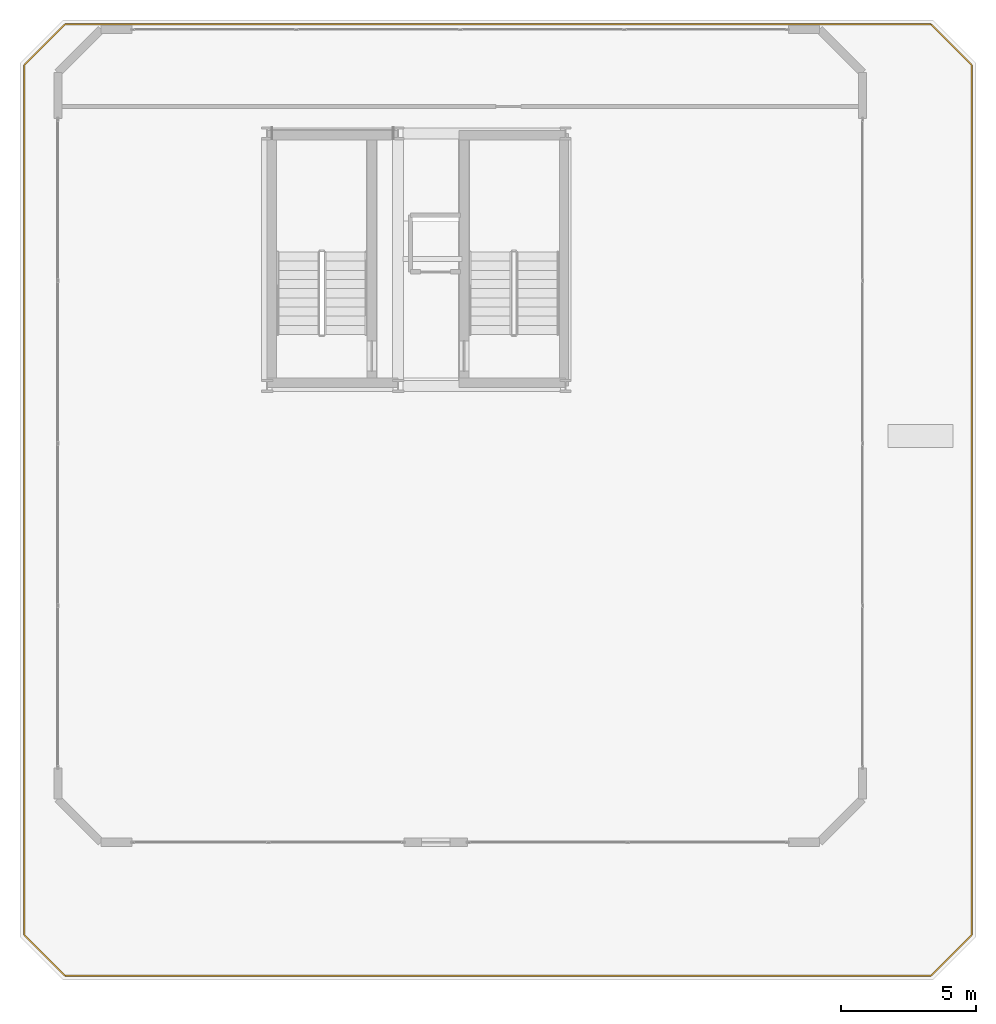
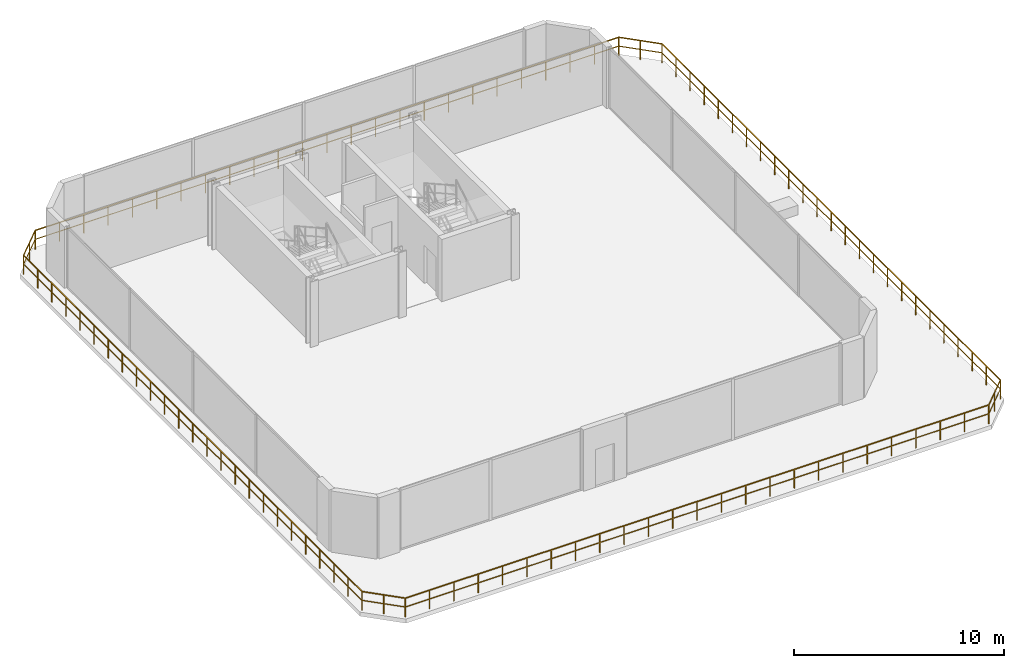
# One storey, part 18 of 19: 2 railings.
"""IFC4 building model written with IfcOpenShell, lengths in metres."""

from ifc_helpers import new_model, si_unit, direction, frame, origin, origin_2d, place, context, subcontext, project, spatial, rectangle, extrude, material, type_object, element, save


model = new_model("IFC4")

# Units and contexts
model_context = context("Model", 3, precision=1e-05, world=origin(), true_north=direction((0.0, 1.0)))
body_context = subcontext(model_context, "Body", "Model", "MODEL_VIEW")
ifc_project = project(units=[si_unit("LENGTHUNIT", "METRE"), si_unit("AREAUNIT", "SQUARE_METRE"), si_unit("VOLUMEUNIT", "CUBIC_METRE"), si_unit("PLANEANGLEUNIT", "RADIAN"), si_unit("MASSUNIT", "GRAM", prefix="KILO")], contexts=[model_context])

# Site, building, storey
site_placement = place(None, origin())
site = spatial("IfcSite", under=ifc_project, at=site_placement, CompositionType="ELEMENT")
building_placement = place(site_placement, origin())
building = spatial("IfcBuilding", under=site, at=building_placement, Name="Zuhayl Quay Hotel", CompositionType="ELEMENT")
storey_placement = place(building_placement, frame((0.0, 0.0, 304.85009765625)))
storey = spatial("IfcBuildingStorey", under=building, at=storey_placement, Name="Crown 3", CompositionType="ELEMENT", Elevation=304.85009765625)

# Railings
ifc_material = material(Name="Anodised Aluminium and Laminated Glass", Category="aluminium")
railing_type = type_object("IfcRailingType", Name="RL_EXT_BAL_1100", PredefinedType="BALUSTRADE", material=ifc_material)
railing_1_placement = place(storey_placement, frame((-16.93359375, 3.260009765625, 0.0)))
element("IfcRailing", 1, at=railing_1_placement, inside=storey, type_object=railing_type, Name="Crown 3 Balcony and Terrace Guard GR_CROWN_3_1A", PredefinedType="BALUSTRADE", context=body_context, shape_type="SweptSolid", body=[
    extrude(rectangle(XDim=0.048095703125, YDim=0.048095703125, at=origin_2d()), frame((0.0, 0.0, 1.09619140625), z_axis=(-0.707106781187, 0.707106781187, 0.0), x_axis=(-0.707106781187, -0.707106781187, 0.0)), (0.0, 0.0, 1.0), 2.13037109375),
    extrude(rectangle(XDim=0.0361328125, YDim=0.0361328125, at=origin_2d()), frame((0.0, 0.0, 0.58251953125), z_axis=(-0.707106781187, 0.707106781187, 0.0), x_axis=(-0.707106781187, -0.707106781187, 0.0)), (0.0, 0.0, 1.0), 2.13037109375),
    extrude(rectangle(XDim=0.048095703125, YDim=0.048095703125, at=origin_2d()), frame((-1.50634765625, 1.50634765625, 1.09619140625), z_axis=(0.0, 1.0, 0.0), x_axis=(-1.0, 0.0, 0.0)), (0.0, 0.0, 1.0), 32.21728515625),
    extrude(rectangle(XDim=0.0361328125, YDim=0.0361328125, at=origin_2d()), frame((-1.50634765625, 1.50634765625, 0.58251953125), z_axis=(0.0, 1.0, 0.0), x_axis=(-1.0, 0.0, 0.0)), (0.0, 0.0, 1.0), 32.21728515625),
    extrude(rectangle(XDim=0.048095703125, YDim=0.048095703125, at=origin_2d()), frame((-1.50634765625, 33.7236328125, 1.09619140625), z_axis=(0.707106781187, 0.707106781187, 0.0), x_axis=(-0.707106781187, 0.707106781187, 0.0)), (0.0, 0.0, 1.0), 2.13037109375),
    extrude(rectangle(XDim=0.0361328125, YDim=0.0361328125, at=origin_2d()), frame((-1.50634765625, 33.7236328125, 0.58251953125), z_axis=(0.707106781187, 0.707106781187, 0.0), x_axis=(-0.707106781187, 0.707106781187, 0.0)), (0.0, 0.0, 1.0), 2.13037109375),
    extrude(rectangle(XDim=0.048095703125, YDim=0.048095703125, at=origin_2d()), frame((0.0, 35.22998046875, 1.09619140625), z_axis=(1.0, 0.0, 0.0), x_axis=(0.0, 1.0, 0.0)), (0.0, 0.0, 1.0), 32.0673828125),
    extrude(rectangle(XDim=0.0361328125, YDim=0.0361328125, at=origin_2d()), frame((0.0, 35.22998046875, 0.58251953125), z_axis=(1.0, 0.0, 0.0), x_axis=(0.0, 1.0, 0.0)), (0.0, 0.0, 1.0), 32.0673828125),
    extrude(rectangle(XDim=0.0419921875, YDim=0.0419921875, at=origin_2d()), origin(), (0.0, 0.0, 1.0), 1.072021484375),
    extrude(rectangle(XDim=0.0419921875, YDim=0.0419921875, at=origin_2d()), frame((-0.753173828125, 0.753173828125, 0.0)), (0.0, 0.0, 1.0), 1.072021484375),
    extrude(rectangle(XDim=0.0419921875, YDim=0.0419921875, at=origin_2d()), frame((-1.50634765625, 1.50634765625, 0.0)), (0.0, 0.0, 1.0), 1.072021484375),
    extrude(rectangle(XDim=0.0419921875, YDim=0.0419921875, at=origin_2d()), frame((-1.50634765625, 2.8486328125, 0.0)), (0.0, 0.0, 1.0), 1.072021484375),
    extrude(rectangle(XDim=0.0419921875, YDim=0.0419921875, at=origin_2d()), frame((-1.50634765625, 4.191162109375, 0.0)), (0.0, 0.0, 1.0), 1.072021484375),
    extrude(rectangle(XDim=0.0419921875, YDim=0.0419921875, at=origin_2d()), frame((-1.50634765625, 5.533447265625, 0.0)), (0.0, 0.0, 1.0), 1.072021484375),
    extrude(rectangle(XDim=0.0419921875, YDim=0.0419921875, at=origin_2d()), frame((-1.50634765625, 6.8759765625, 0.0)), (0.0, 0.0, 1.0), 1.072021484375),
    extrude(rectangle(XDim=0.0419921875, YDim=0.0419921875, at=origin_2d()), frame((-1.50634765625, 8.21826171875, 0.0)), (0.0, 0.0, 1.0), 1.072021484375),
    extrude(rectangle(XDim=0.0419921875, YDim=0.0419921875, at=origin_2d()), frame((-1.50634765625, 9.560546875, 0.0)), (0.0, 0.0, 1.0), 1.072021484375),
    extrude(rectangle(XDim=0.0419921875, YDim=0.0419921875, at=origin_2d()), frame((-1.50634765625, 10.903076171875, 0.0)), (0.0, 0.0, 1.0), 1.072021484375),
    extrude(rectangle(XDim=0.0419921875, YDim=0.0419921875, at=origin_2d()), frame((-1.50634765625, 12.245361328125, 0.0)), (0.0, 0.0, 1.0), 1.072021484375),
    extrude(rectangle(XDim=0.0419921875, YDim=0.0419921875, at=origin_2d()), frame((-1.50634765625, 13.587890625, 0.0)), (0.0, 0.0, 1.0), 1.072021484375),
    extrude(rectangle(XDim=0.0419921875, YDim=0.0419921875, at=origin_2d()), frame((-1.50634765625, 14.93017578125, 0.0)), (0.0, 0.0, 1.0), 1.072021484375),
    extrude(rectangle(XDim=0.0419921875, YDim=0.0419921875, at=origin_2d()), frame((-1.50634765625, 16.272705078125, 0.0)), (0.0, 0.0, 1.0), 1.072021484375),
    extrude(rectangle(XDim=0.0419921875, YDim=0.0419921875, at=origin_2d()), frame((-1.50634765625, 17.614990234375, 0.0)), (0.0, 0.0, 1.0), 1.072021484375),
    extrude(rectangle(XDim=0.0419921875, YDim=0.0419921875, at=origin_2d()), frame((-1.50634765625, 18.957275390625, 0.0)), (0.0, 0.0, 1.0), 1.072021484375),
    extrude(rectangle(XDim=0.0419921875, YDim=0.0419921875, at=origin_2d()), frame((-1.50634765625, 20.2998046875, 0.0)), (0.0, 0.0, 1.0), 1.072021484375),
    extrude(rectangle(XDim=0.0419921875, YDim=0.0419921875, at=origin_2d()), frame((-1.50634765625, 21.64208984375, 0.0)), (0.0, 0.0, 1.0), 1.072021484375),
    extrude(rectangle(XDim=0.0419921875, YDim=0.0419921875, at=origin_2d()), frame((-1.50634765625, 22.984619140625, 0.0)), (0.0, 0.0, 1.0), 1.072021484375),
    extrude(rectangle(XDim=0.0419921875, YDim=0.0419921875, at=origin_2d()), frame((-1.50634765625, 24.326904296875, 0.0)), (0.0, 0.0, 1.0), 1.072021484375),
    extrude(rectangle(XDim=0.0419921875, YDim=0.0419921875, at=origin_2d()), frame((-1.50634765625, 25.66943359375, 0.0)), (0.0, 0.0, 1.0), 1.072021484375),
    extrude(rectangle(XDim=0.0419921875, YDim=0.0419921875, at=origin_2d()), frame((-1.50634765625, 27.01171875, 0.0)), (0.0, 0.0, 1.0), 1.072021484375),
    extrude(rectangle(XDim=0.0419921875, YDim=0.0419921875, at=origin_2d()), frame((-1.50634765625, 28.35400390625, 0.0)), (0.0, 0.0, 1.0), 1.072021484375),
    extrude(rectangle(XDim=0.0419921875, YDim=0.0419921875, at=origin_2d()), frame((-1.50634765625, 29.696533203125, 0.0)), (0.0, 0.0, 1.0), 1.072021484375),
    extrude(rectangle(XDim=0.0419921875, YDim=0.0419921875, at=origin_2d()), frame((-1.50634765625, 31.038818359375, 0.0)), (0.0, 0.0, 1.0), 1.072021484375),
    extrude(rectangle(XDim=0.0419921875, YDim=0.0419921875, at=origin_2d()), frame((-1.50634765625, 32.38134765625, 0.0)), (0.0, 0.0, 1.0), 1.072021484375),
    extrude(rectangle(XDim=0.0419921875, YDim=0.0419921875, at=origin_2d()), frame((-1.50634765625, 33.7236328125, 0.0)), (0.0, 0.0, 1.0), 1.072021484375),
    extrude(rectangle(XDim=0.0419921875, YDim=0.0419921875, at=origin_2d()), frame((-0.753173828125, 34.476806640625, 0.0)), (0.0, 0.0, 1.0), 1.072021484375),
    extrude(rectangle(XDim=0.0419921875, YDim=0.0419921875, at=origin_2d()), frame((0.0, 35.22998046875, 0.0)), (0.0, 0.0, 1.0), 1.072021484375),
    extrude(rectangle(XDim=0.0419921875, YDim=0.0419921875, at=origin_2d()), frame((1.336181640625, 35.22998046875, 0.0)), (0.0, 0.0, 1.0), 1.072021484375),
    extrude(rectangle(XDim=0.0419921875, YDim=0.0419921875, at=origin_2d()), frame((2.67236328125, 35.22998046875, 0.0)), (0.0, 0.0, 1.0), 1.072021484375),
    extrude(rectangle(XDim=0.0419921875, YDim=0.0419921875, at=origin_2d()), frame((4.00830078125, 35.22998046875, 0.0)), (0.0, 0.0, 1.0), 1.072021484375),
    extrude(rectangle(XDim=0.0419921875, YDim=0.0419921875, at=origin_2d()), frame((5.344482421875, 35.22998046875, 0.0)), (0.0, 0.0, 1.0), 1.072021484375),
    extrude(rectangle(XDim=0.0419921875, YDim=0.0419921875, at=origin_2d()), frame((6.6806640625, 35.22998046875, 0.0)), (0.0, 0.0, 1.0), 1.072021484375),
    extrude(rectangle(XDim=0.0419921875, YDim=0.0419921875, at=origin_2d()), frame((8.016845703125, 35.22998046875, 0.0)), (0.0, 0.0, 1.0), 1.072021484375),
    extrude(rectangle(XDim=0.0419921875, YDim=0.0419921875, at=origin_2d()), frame((9.35302734375, 35.22998046875, 0.0)), (0.0, 0.0, 1.0), 1.072021484375),
    extrude(rectangle(XDim=0.0419921875, YDim=0.0419921875, at=origin_2d()), frame((10.689208984375, 35.22998046875, 0.0)), (0.0, 0.0, 1.0), 1.072021484375),
    extrude(rectangle(XDim=0.0419921875, YDim=0.0419921875, at=origin_2d()), frame((12.025390625, 35.22998046875, 0.0)), (0.0, 0.0, 1.0), 1.072021484375),
    extrude(rectangle(XDim=0.0419921875, YDim=0.0419921875, at=origin_2d()), frame((13.361328125, 35.22998046875, 0.0)), (0.0, 0.0, 1.0), 1.072021484375),
    extrude(rectangle(XDim=0.0419921875, YDim=0.0419921875, at=origin_2d()), frame((14.697509765625, 35.22998046875, 0.0)), (0.0, 0.0, 1.0), 1.072021484375),
    extrude(rectangle(XDim=0.0419921875, YDim=0.0419921875, at=origin_2d()), frame((16.03369140625, 35.22998046875, 0.0)), (0.0, 0.0, 1.0), 1.072021484375),
    extrude(rectangle(XDim=0.0419921875, YDim=0.0419921875, at=origin_2d()), frame((17.369873046875, 35.22998046875, 0.0)), (0.0, 0.0, 1.0), 1.072021484375),
    extrude(rectangle(XDim=0.0419921875, YDim=0.0419921875, at=origin_2d()), frame((18.7060546875, 35.22998046875, 0.0)), (0.0, 0.0, 1.0), 1.072021484375),
    extrude(rectangle(XDim=0.0419921875, YDim=0.0419921875, at=origin_2d()), frame((20.0419921875, 35.22998046875, 0.0)), (0.0, 0.0, 1.0), 1.072021484375),
    extrude(rectangle(XDim=0.0419921875, YDim=0.0419921875, at=origin_2d()), frame((21.378173828125, 35.22998046875, 0.0)), (0.0, 0.0, 1.0), 1.072021484375),
    extrude(rectangle(XDim=0.0419921875, YDim=0.0419921875, at=origin_2d()), frame((22.71435546875, 35.22998046875, 0.0)), (0.0, 0.0, 1.0), 1.072021484375),
    extrude(rectangle(XDim=0.0419921875, YDim=0.0419921875, at=origin_2d()), frame((24.050537109375, 35.22998046875, 0.0)), (0.0, 0.0, 1.0), 1.072021484375),
    extrude(rectangle(XDim=0.0419921875, YDim=0.0419921875, at=origin_2d()), frame((25.38671875, 35.22998046875, 0.0)), (0.0, 0.0, 1.0), 1.072021484375),
    extrude(rectangle(XDim=0.0419921875, YDim=0.0419921875, at=origin_2d()), frame((26.722900390625, 35.22998046875, 0.0)), (0.0, 0.0, 1.0), 1.072021484375),
    extrude(rectangle(XDim=0.0419921875, YDim=0.0419921875, at=origin_2d()), frame((28.05908203125, 35.22998046875, 0.0)), (0.0, 0.0, 1.0), 1.072021484375),
    extrude(rectangle(XDim=0.0419921875, YDim=0.0419921875, at=origin_2d()), frame((29.39501953125, 35.22998046875, 0.0)), (0.0, 0.0, 1.0), 1.072021484375),
    extrude(rectangle(XDim=0.0419921875, YDim=0.0419921875, at=origin_2d()), frame((30.731201171875, 35.22998046875, 0.0)), (0.0, 0.0, 1.0), 1.072021484375),
    extrude(rectangle(XDim=0.0419921875, YDim=0.0419921875, at=origin_2d()), frame((32.0673828125, 35.22998046875, 0.0)), (0.0, 0.0, 1.0), 1.072021484375),
])
railing_2_placement = place(storey_placement, frame((15.1337890625, 38.489990234375, 0.0)))
element("IfcRailing", 2, at=railing_2_placement, inside=storey, type_object=railing_type, Name="Crown 3 Balcony and Terrace Guard GR_CROWN_3_1B", PredefinedType="BALUSTRADE", context=body_context, shape_type="SweptSolid", body=[
    extrude(rectangle(XDim=0.048095703125, YDim=0.048095703125, at=origin_2d()), frame((0.0, 0.0, 1.09619140625), z_axis=(0.707049472212, -0.707164085516, 0.0), x_axis=(0.707164085516, 0.707049472212, 0.0)), (0.0, 0.0, 1.0), 2.130126953125),
    extrude(rectangle(XDim=0.0361328125, YDim=0.0361328125, at=origin_2d()), frame((0.0, 0.0, 0.58251953125), z_axis=(0.707049472212, -0.707164085516, 0.0), x_axis=(0.707164085516, 0.707049472212, 0.0)), (0.0, 0.0, 1.0), 2.130126953125),
    extrude(rectangle(XDim=0.048095703125, YDim=0.048095703125, at=origin_2d()), frame((1.506103515625, -1.50634765625, 1.09619140625), z_axis=(0.0, -1.0, 0.0), x_axis=(1.0, 0.0, 0.0)), (0.0, 0.0, 1.0), 32.21728515625),
    extrude(rectangle(XDim=0.0361328125, YDim=0.0361328125, at=origin_2d()), frame((1.506103515625, -1.50634765625, 0.58251953125), z_axis=(0.0, -1.0, 0.0), x_axis=(1.0, 0.0, 0.0)), (0.0, 0.0, 1.0), 32.21728515625),
    extrude(rectangle(XDim=0.048095703125, YDim=0.048095703125, at=origin_2d()), frame((1.506103515625, -33.7236328125, 1.09619140625), z_axis=(-0.707049472212, -0.707164085516, 0.0), x_axis=(0.707164085516, -0.707049472212, 0.0)), (0.0, 0.0, 1.0), 2.130126953125),
    extrude(rectangle(XDim=0.0361328125, YDim=0.0361328125, at=origin_2d()), frame((1.506103515625, -33.7236328125, 0.58251953125), z_axis=(-0.707049472212, -0.707164085516, 0.0), x_axis=(0.707164085516, -0.707049472212, 0.0)), (0.0, 0.0, 1.0), 2.130126953125),
    extrude(rectangle(XDim=0.048095703125, YDim=0.048095703125, at=origin_2d()), frame((0.0, -35.22998046875, 1.09619140625), z_axis=(-1.0, 0.0, 0.0), x_axis=(0.0, -1.0, 0.0)), (0.0, 0.0, 1.0), 32.0673828125),
    extrude(rectangle(XDim=0.0361328125, YDim=0.0361328125, at=origin_2d()), frame((0.0, -35.22998046875, 0.58251953125), z_axis=(-1.0, 0.0, 0.0), x_axis=(0.0, -1.0, 0.0)), (0.0, 0.0, 1.0), 32.0673828125),
    extrude(rectangle(XDim=0.0419921875, YDim=0.0419921875, at=origin_2d()), origin(), (0.0, 0.0, 1.0), 1.072021484375),
    extrude(rectangle(XDim=0.0419921875, YDim=0.0419921875, at=origin_2d()), frame((0.7529296875, -0.753173828125, 0.0)), (0.0, 0.0, 1.0), 1.072021484375),
    extrude(rectangle(XDim=0.0419921875, YDim=0.0419921875, at=origin_2d()), frame((1.506103515625, -1.50634765625, 0.0)), (0.0, 0.0, 1.0), 1.072021484375),
    extrude(rectangle(XDim=0.0419921875, YDim=0.0419921875, at=origin_2d()), frame((1.506103515625, -2.8486328125, 0.0)), (0.0, 0.0, 1.0), 1.072021484375),
    extrude(rectangle(XDim=0.0419921875, YDim=0.0419921875, at=origin_2d()), frame((1.506103515625, -4.191162109375, 0.0)), (0.0, 0.0, 1.0), 1.072021484375),
    extrude(rectangle(XDim=0.0419921875, YDim=0.0419921875, at=origin_2d()), frame((1.506103515625, -5.533447265625, 0.0)), (0.0, 0.0, 1.0), 1.072021484375),
    extrude(rectangle(XDim=0.0419921875, YDim=0.0419921875, at=origin_2d()), frame((1.506103515625, -6.8759765625, 0.0)), (0.0, 0.0, 1.0), 1.072021484375),
    extrude(rectangle(XDim=0.0419921875, YDim=0.0419921875, at=origin_2d()), frame((1.506103515625, -8.21826171875, 0.0)), (0.0, 0.0, 1.0), 1.072021484375),
    extrude(rectangle(XDim=0.0419921875, YDim=0.0419921875, at=origin_2d()), frame((1.506103515625, -9.560546875, 0.0)), (0.0, 0.0, 1.0), 1.072021484375),
    extrude(rectangle(XDim=0.0419921875, YDim=0.0419921875, at=origin_2d()), frame((1.506103515625, -10.903076171875, 0.0)), (0.0, 0.0, 1.0), 1.072021484375),
    extrude(rectangle(XDim=0.0419921875, YDim=0.0419921875, at=origin_2d()), frame((1.506103515625, -12.245361328125, 0.0)), (0.0, 0.0, 1.0), 1.072021484375),
    extrude(rectangle(XDim=0.0419921875, YDim=0.0419921875, at=origin_2d()), frame((1.506103515625, -13.587890625, 0.0)), (0.0, 0.0, 1.0), 1.072021484375),
    extrude(rectangle(XDim=0.0419921875, YDim=0.0419921875, at=origin_2d()), frame((1.506103515625, -14.93017578125, 0.0)), (0.0, 0.0, 1.0), 1.072021484375),
    extrude(rectangle(XDim=0.0419921875, YDim=0.0419921875, at=origin_2d()), frame((1.506103515625, -16.272705078125, 0.0)), (0.0, 0.0, 1.0), 1.072021484375),
    extrude(rectangle(XDim=0.0419921875, YDim=0.0419921875, at=origin_2d()), frame((1.506103515625, -17.614990234375, 0.0)), (0.0, 0.0, 1.0), 1.072021484375),
    extrude(rectangle(XDim=0.0419921875, YDim=0.0419921875, at=origin_2d()), frame((1.506103515625, -18.957275390625, 0.0)), (0.0, 0.0, 1.0), 1.072021484375),
    extrude(rectangle(XDim=0.0419921875, YDim=0.0419921875, at=origin_2d()), frame((1.506103515625, -20.2998046875, 0.0)), (0.0, 0.0, 1.0), 1.072021484375),
    extrude(rectangle(XDim=0.0419921875, YDim=0.0419921875, at=origin_2d()), frame((1.506103515625, -21.64208984375, 0.0)), (0.0, 0.0, 1.0), 1.072021484375),
    extrude(rectangle(XDim=0.0419921875, YDim=0.0419921875, at=origin_2d()), frame((1.506103515625, -22.984619140625, 0.0)), (0.0, 0.0, 1.0), 1.072021484375),
    extrude(rectangle(XDim=0.0419921875, YDim=0.0419921875, at=origin_2d()), frame((1.506103515625, -24.326904296875, 0.0)), (0.0, 0.0, 1.0), 1.072021484375),
    extrude(rectangle(XDim=0.0419921875, YDim=0.0419921875, at=origin_2d()), frame((1.506103515625, -25.66943359375, 0.0)), (0.0, 0.0, 1.0), 1.072021484375),
    extrude(rectangle(XDim=0.0419921875, YDim=0.0419921875, at=origin_2d()), frame((1.506103515625, -27.01171875, 0.0)), (0.0, 0.0, 1.0), 1.072021484375),
    extrude(rectangle(XDim=0.0419921875, YDim=0.0419921875, at=origin_2d()), frame((1.506103515625, -28.35400390625, 0.0)), (0.0, 0.0, 1.0), 1.072021484375),
    extrude(rectangle(XDim=0.0419921875, YDim=0.0419921875, at=origin_2d()), frame((1.506103515625, -29.696533203125, 0.0)), (0.0, 0.0, 1.0), 1.072021484375),
    extrude(rectangle(XDim=0.0419921875, YDim=0.0419921875, at=origin_2d()), frame((1.506103515625, -31.038818359375, 0.0)), (0.0, 0.0, 1.0), 1.072021484375),
    extrude(rectangle(XDim=0.0419921875, YDim=0.0419921875, at=origin_2d()), frame((1.506103515625, -32.38134765625, 0.0)), (0.0, 0.0, 1.0), 1.072021484375),
    extrude(rectangle(XDim=0.0419921875, YDim=0.0419921875, at=origin_2d()), frame((1.506103515625, -33.7236328125, 0.0)), (0.0, 0.0, 1.0), 1.072021484375),
    extrude(rectangle(XDim=0.0419921875, YDim=0.0419921875, at=origin_2d()), frame((0.7529296875, -34.476806640625, 0.0)), (0.0, 0.0, 1.0), 1.072021484375),
    extrude(rectangle(XDim=0.0419921875, YDim=0.0419921875, at=origin_2d()), frame((0.0, -35.22998046875, 0.0)), (0.0, 0.0, 1.0), 1.072021484375),
    extrude(rectangle(XDim=0.0419921875, YDim=0.0419921875, at=origin_2d()), frame((-1.336181640625, -35.22998046875, 0.0)), (0.0, 0.0, 1.0), 1.072021484375),
    extrude(rectangle(XDim=0.0419921875, YDim=0.0419921875, at=origin_2d()), frame((-2.67236328125, -35.22998046875, 0.0)), (0.0, 0.0, 1.0), 1.072021484375),
    extrude(rectangle(XDim=0.0419921875, YDim=0.0419921875, at=origin_2d()), frame((-4.00830078125, -35.22998046875, 0.0)), (0.0, 0.0, 1.0), 1.072021484375),
    extrude(rectangle(XDim=0.0419921875, YDim=0.0419921875, at=origin_2d()), frame((-5.344482421875, -35.22998046875, 0.0)), (0.0, 0.0, 1.0), 1.072021484375),
    extrude(rectangle(XDim=0.0419921875, YDim=0.0419921875, at=origin_2d()), frame((-6.6806640625, -35.22998046875, 0.0)), (0.0, 0.0, 1.0), 1.072021484375),
    extrude(rectangle(XDim=0.0419921875, YDim=0.0419921875, at=origin_2d()), frame((-8.016845703125, -35.22998046875, 0.0)), (0.0, 0.0, 1.0), 1.072021484375),
    extrude(rectangle(XDim=0.0419921875, YDim=0.0419921875, at=origin_2d()), frame((-9.35302734375, -35.22998046875, 0.0)), (0.0, 0.0, 1.0), 1.072021484375),
    extrude(rectangle(XDim=0.0419921875, YDim=0.0419921875, at=origin_2d()), frame((-10.689208984375, -35.22998046875, 0.0)), (0.0, 0.0, 1.0), 1.072021484375),
    extrude(rectangle(XDim=0.0419921875, YDim=0.0419921875, at=origin_2d()), frame((-12.025390625, -35.22998046875, 0.0)), (0.0, 0.0, 1.0), 1.072021484375),
    extrude(rectangle(XDim=0.0419921875, YDim=0.0419921875, at=origin_2d()), frame((-13.361328125, -35.22998046875, 0.0)), (0.0, 0.0, 1.0), 1.072021484375),
    extrude(rectangle(XDim=0.0419921875, YDim=0.0419921875, at=origin_2d()), frame((-14.697509765625, -35.22998046875, 0.0)), (0.0, 0.0, 1.0), 1.072021484375),
    extrude(rectangle(XDim=0.0419921875, YDim=0.0419921875, at=origin_2d()), frame((-16.03369140625, -35.22998046875, 0.0)), (0.0, 0.0, 1.0), 1.072021484375),
    extrude(rectangle(XDim=0.0419921875, YDim=0.0419921875, at=origin_2d()), frame((-17.369873046875, -35.22998046875, 0.0)), (0.0, 0.0, 1.0), 1.072021484375),
    extrude(rectangle(XDim=0.0419921875, YDim=0.0419921875, at=origin_2d()), frame((-18.7060546875, -35.22998046875, 0.0)), (0.0, 0.0, 1.0), 1.072021484375),
    extrude(rectangle(XDim=0.0419921875, YDim=0.0419921875, at=origin_2d()), frame((-20.0419921875, -35.22998046875, 0.0)), (0.0, 0.0, 1.0), 1.072021484375),
    extrude(rectangle(XDim=0.0419921875, YDim=0.0419921875, at=origin_2d()), frame((-21.378173828125, -35.22998046875, 0.0)), (0.0, 0.0, 1.0), 1.072021484375),
    extrude(rectangle(XDim=0.0419921875, YDim=0.0419921875, at=origin_2d()), frame((-22.71435546875, -35.22998046875, 0.0)), (0.0, 0.0, 1.0), 1.072021484375),
    extrude(rectangle(XDim=0.0419921875, YDim=0.0419921875, at=origin_2d()), frame((-24.050537109375, -35.22998046875, 0.0)), (0.0, 0.0, 1.0), 1.072021484375),
    extrude(rectangle(XDim=0.0419921875, YDim=0.0419921875, at=origin_2d()), frame((-25.38671875, -35.22998046875, 0.0)), (0.0, 0.0, 1.0), 1.072021484375),
    extrude(rectangle(XDim=0.0419921875, YDim=0.0419921875, at=origin_2d()), frame((-26.722900390625, -35.22998046875, 0.0)), (0.0, 0.0, 1.0), 1.072021484375),
    extrude(rectangle(XDim=0.0419921875, YDim=0.0419921875, at=origin_2d()), frame((-28.05908203125, -35.22998046875, 0.0)), (0.0, 0.0, 1.0), 1.072021484375),
    extrude(rectangle(XDim=0.0419921875, YDim=0.0419921875, at=origin_2d()), frame((-29.39501953125, -35.22998046875, 0.0)), (0.0, 0.0, 1.0), 1.072021484375),
    extrude(rectangle(XDim=0.0419921875, YDim=0.0419921875, at=origin_2d()), frame((-30.731201171875, -35.22998046875, 0.0)), (0.0, 0.0, 1.0), 1.072021484375),
    extrude(rectangle(XDim=0.0419921875, YDim=0.0419921875, at=origin_2d()), frame((-32.0673828125, -35.22998046875, 0.0)), (0.0, 0.0, 1.0), 1.072021484375),
])

save(model, "model.ifc")
